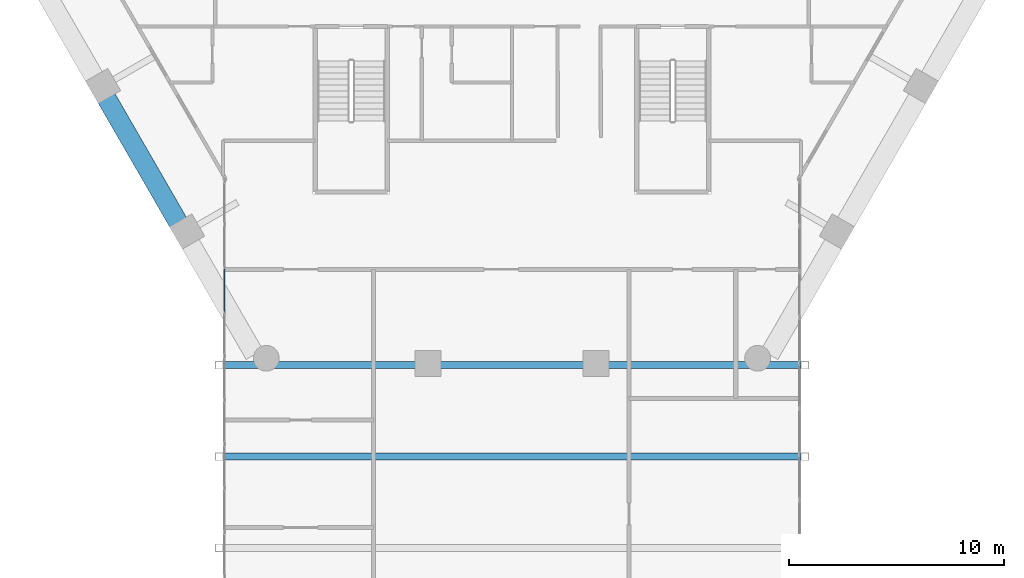
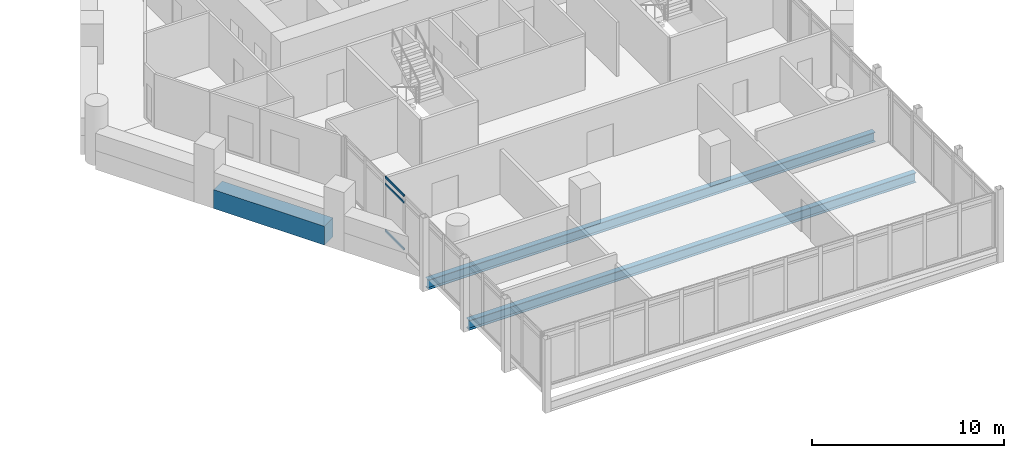
# One storey, part 8 of 28: 3 beams, 3 members, 1 element without a shape of its own.
"""IFC4 building model written with IfcOpenShell, lengths in metres."""

from ifc_helpers import new_model, si_unit, direction, frame, origin, origin_2d, place, context, subcontext, project, spatial, rectangle, hollow_rectangle, i_section, extrude, material, material_profile, profile_set, type_object, element, aggregate, save


model = new_model("IFC4")

# Units and contexts
model_context = context("Model", 3, precision=1e-05, world=origin(), true_north=direction((0.0, 1.0)))
body_context = subcontext(model_context, "Body", "Model", "MODEL_VIEW")
ifc_project = project(units=[si_unit("LENGTHUNIT", "METRE"), si_unit("AREAUNIT", "SQUARE_METRE"), si_unit("VOLUMEUNIT", "CUBIC_METRE"), si_unit("PLANEANGLEUNIT", "RADIAN"), si_unit("MASSUNIT", "GRAM", prefix="KILO")], contexts=[model_context])

# Site, building, storey
site_placement = place(None, origin())
site = spatial("IfcSite", under=ifc_project, at=site_placement, CompositionType="ELEMENT")
building_placement = place(site_placement, origin())
building = spatial("IfcBuilding", under=site, at=building_placement, Name="Ostrander Bayou Hotel Tower", CompositionType="ELEMENT")
storey_placement = place(building_placement, frame((0.0, 0.0, 104.25)))
storey = spatial("IfcBuildingStorey", under=building, at=storey_placement, Name="L26", CompositionType="ELEMENT", Elevation=104.25)

# Curtain wall, members
ifc_material_1 = material(Name="Aluminium and clear glass", Category="aluminium")
curtain_wall_type = type_object("IfcCurtainWallType", Name="CW-BAR glazed wall", PredefinedType="NOTDEFINED", material=ifc_material_1)
curtain_wall_placement = place(storey_placement, origin())
curtain_wall = element("IfcCurtainWall", 1, at=curtain_wall_placement, inside=storey, type_object=curtain_wall_type, Name="CW-BAR L26:SB2S:E", PredefinedType="NOTDEFINED")
ifc_material_2 = material(Name="Aluminium", Category="aluminium")
ifc_material_profile_1 = material_profile(ifc_material_2, hollow_rectangle(XDim=0.06005859375, YDim=0.1298828125, WallThickness=0.00390625, at=origin_2d()))
ifc_profile_set_1 = profile_set([ifc_material_profile_1], Name="Aluminium")
member_type = type_object("IfcMemberType", Name="CW-BR transom 60 x 130 mm", PredefinedType="USERDEFINED", material=ifc_profile_set_1)
member_1_placement = place(storey_placement, frame((-13.3671875, -14.96826171875, 0.030029296875), z_axis=(0.0, -1.0, 0.0), x_axis=(1.0, 0.0, 0.0)))
member_1 = element("IfcMember", 2, at=member_1_placement, type_object=member_type, Name="CW-BAR transom 3.1", ObjectType="TRANSOM", PredefinedType="USERDEFINED", context=body_context, shape_type="SweptSolid", body=[
    extrude(hollow_rectangle(XDim=0.06005859375, YDim=0.1298828125, WallThickness=0.00390625, at=origin_2d()), origin(), (0.0, 0.0, 1.0), 1.985595703125),
])
member_2_placement = place(storey_placement, frame((-13.3671875, -14.96826171875, 3.0), z_axis=(0.0, -1.0, 0.0), x_axis=(1.0, 0.0, 0.0)))
member_2 = element("IfcMember", 3, at=member_2_placement, type_object=member_type, Name="CW-BAR transom 3.2", ObjectType="TRANSOM", PredefinedType="USERDEFINED", context=body_context, shape_type="SweptSolid", body=[
    extrude(hollow_rectangle(XDim=0.06005859375, YDim=0.1298828125, WallThickness=0.00390625, at=origin_2d()), origin(), (0.0, 0.0, 1.0), 1.985595703125),
])
member_3_placement = place(storey_placement, frame((-13.3671875, -14.96826171875, 3.419921875), z_axis=(0.0, -1.0, 0.0), x_axis=(1.0, 0.0, 0.0)))
member_3 = element("IfcMember", 4, at=member_3_placement, type_object=member_type, Name="CW-BAR transom 3.3", ObjectType="TRANSOM", PredefinedType="USERDEFINED", context=body_context, shape_type="SweptSolid", body=[
    extrude(hollow_rectangle(XDim=0.06005859375, YDim=0.1298828125, WallThickness=0.00390625, at=origin_2d()), origin(), (0.0, 0.0, 1.0), 1.985595703125),
])
aggregate(curtain_wall, [member_1, member_2, member_3])

# Beams
ifc_material_3 = material(Name="Concrete f'c 70 MPa", Category="concrete")
ifc_material_profile_2 = material_profile(ifc_material_3, rectangle(XDim=0.89990234375, YDim=1.199951171875, at=origin_2d()))
ifc_profile_set_2 = profile_set([ifc_material_profile_2], Name="Concrete f'c 70 MPa")
beam_type_1 = type_object("IfcBeamType", Name="SP2 spandrel beam 900 x 1200 mm f'c 70 MPa", PredefinedType="SPANDREL", material=ifc_profile_set_2)
beam_placement = place(storey_placement, frame((-18.85888671875, -7.035400390625, -0.60009765625), z_axis=(0.499999023957, -0.866025967302, 0.0), x_axis=(0.866025967302, 0.499999023957, 0.0)))
element("IfcBeam", 5, at=beam_placement, inside=storey, type_object=beam_type_1, Name="SP2 L26 SW-2", PredefinedType="SPANDREL", context=body_context, shape_type="SweptSolid", body=[
    extrude(rectangle(XDim=0.89990234375, YDim=1.199951171875, at=origin_2d()), origin(), (0.0, 0.0, 1.0), 6.67333984375),
])
ifc_material_4 = material(Name="Steel ASTM A992", Category="steel")
ifc_material_profile_3 = material_profile(ifc_material_4, i_section(OverallWidth=0.32763671875, OverallDepth=0.621826171875, WebThickness=0.015380859375, FlangeThickness=0.0244140625, at=origin_2d()))
ifc_profile_set_3 = profile_set([ifc_material_profile_3], Name="Steel ASTM A992")
beam_type_2 = type_object("IfcBeamType", Name="TF1 bar floor beam W24x131", PredefinedType="BEAM", material=ifc_profile_set_3)
for number, where, z_axis, x_axis, name in (
    (6, (-13.442138671875, -19.450927734375, -0.61083984375), (1.0, 0.0, 0.0), (0.0, 1.0, 0.0), "TF1 SB2S L4-1"),
    (7, (-13.442138671875, -23.70068359375, -0.61083984375), (1.0, 0.0, 0.0), (0.0, 1.0, 0.0), "TF1 SB2S L4-2"),
):
    element("IfcBeam", number, at=place(storey_placement, frame(where, z_axis=z_axis, x_axis=x_axis)), inside=storey, type_object=beam_type_2, Name=name, PredefinedType="BEAM", context=body_context, shape_type="SweptSolid", body=[
        extrude(i_section(OverallWidth=0.32763671875, OverallDepth=0.621826171875, WebThickness=0.015380859375, FlangeThickness=0.0244140625, at=origin_2d()), origin(), (0.0, 0.0, 1.0), 26.88427734375),
    ])

save(model, "model.ifc")
